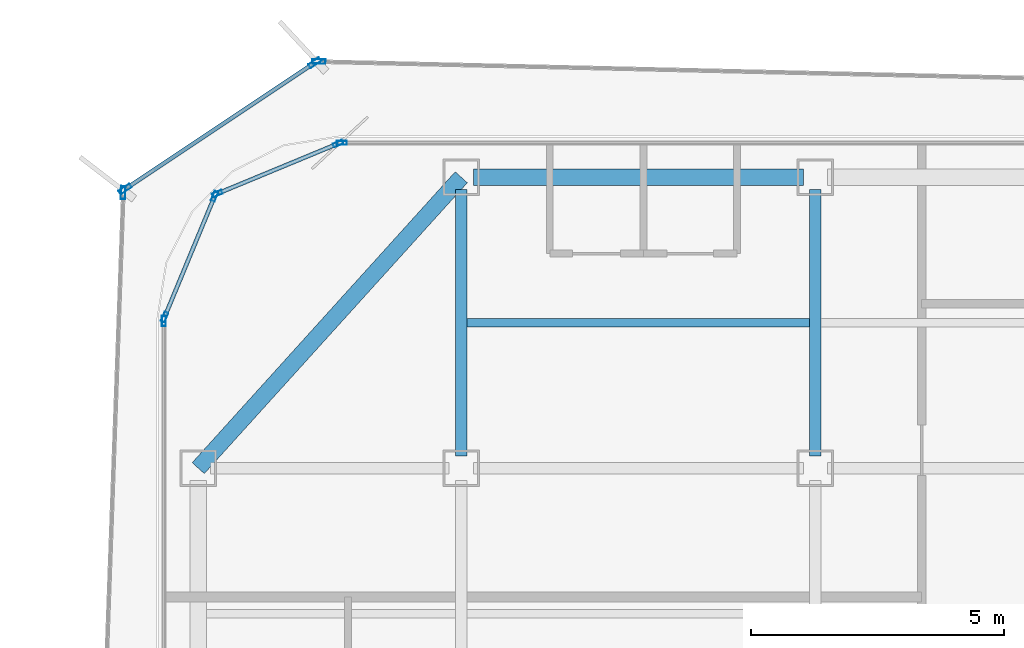
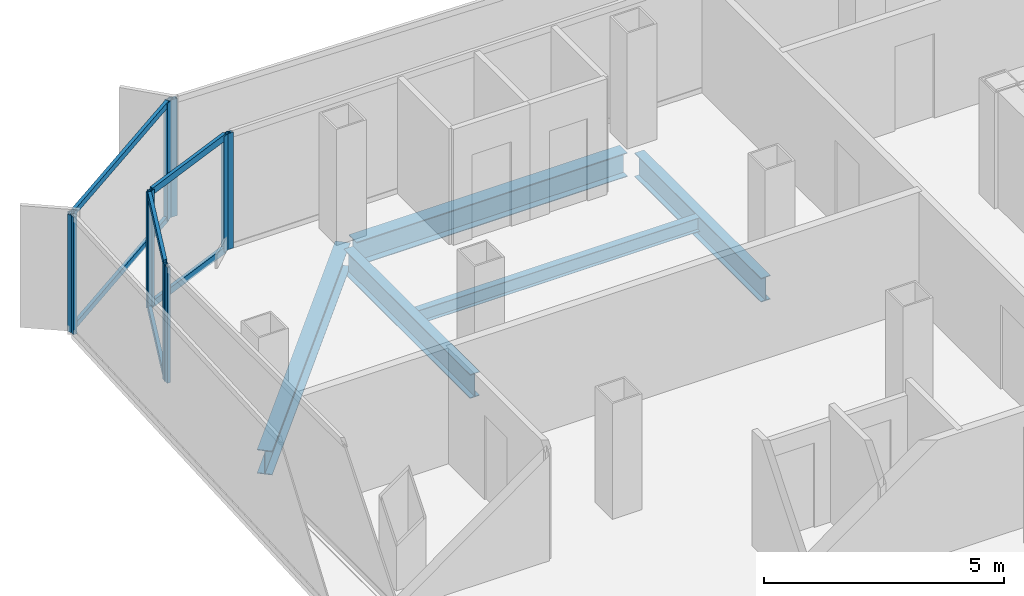
# One storey, part 6 of 15: 16 members, 5 beams, 7 elements without a shape of their own.
"""IFC4 building model written with IfcOpenShell, lengths in metres."""

from ifc_helpers import new_model, si_unit, direction, frame, origin, origin_2d, place, context, subcontext, project, spatial, hollow_rectangle, i_section, extrude, source, transform, mapped, material, layer, layer_set, material_profile, profile_set, type_object, element, aggregate, save


model = new_model("IFC4")

# Units and contexts
model_context = context("Model", 3, precision=1e-05, world=origin(), true_north=direction((0.0, 1.0)))
body_context = subcontext(model_context, "Body", "Model", "MODEL_VIEW")
ifc_project = project(units=[si_unit("LENGTHUNIT", "METRE"), si_unit("AREAUNIT", "SQUARE_METRE"), si_unit("VOLUMEUNIT", "CUBIC_METRE"), si_unit("PLANEANGLEUNIT", "RADIAN"), si_unit("MASSUNIT", "GRAM", prefix="KILO")], contexts=[model_context])

# Site, building, storey
site_placement = place(None, origin())
site = spatial("IfcSite", under=ifc_project, at=site_placement, CompositionType="ELEMENT")
building_placement = place(site_placement, origin())
building = spatial("IfcBuilding", under=site, at=building_placement, Name="Kolveth Station Tower", CompositionType="ELEMENT")
storey_placement = place(building_placement, frame((0.0, 0.0, 196.39990234375)))
storey = spatial("IfcBuildingStorey", under=building, at=storey_placement, Name="L55", CompositionType="ELEMENT", Elevation=196.39990234375)

# Beams
ifc_material_1 = material(Name="Steel S355", Category="steel")
ifc_material_profile_1 = material_profile(ifc_material_1, i_section(OverallWidth=0.323974609375, OverallDepth=0.611083984375, WebThickness=0.0126953125, FlangeThickness=0.01904296875, at=origin_2d()), Name="W610x155")
ifc_profile_set_1 = profile_set([ifc_material_profile_1], Name="Steel S355")
beam_type_1 = type_object("IfcBeamType", Name="Beam_SP2", PredefinedType="SPANDREL", material=ifc_profile_set_1)
shared_shape_1 = source(origin(), body_context, "Body", "SweptSolid", [
    extrude(i_section(OverallWidth=0.323974609375, OverallDepth=0.611083984375, WebThickness=0.0126953125, FlangeThickness=0.01904296875, at=origin_2d()), origin(), (0.0, 0.0, 1.0), 7.75244140625),
])
beam_1_placement = place(storey_placement, frame((6.0, 34.5, -0.555419921875), z_axis=(-0.670740965555, -0.74169168603, 0.0), x_axis=(0.74169168603, -0.670740965555, 0.0)))
element("IfcBeam", 1, at=beam_1_placement, inside=storey, type_object=beam_type_1, Name="L55 Corner Edge Girder BM-L55-CNR-NW", PredefinedType="SPANDREL", context=body_context, shape_type="MappedRepresentation", body=[
    mapped(shared_shape_1, transform((0.0, 0.0, 0.0), x_axis=(1.0, 0.0, 0.0), y_axis=(0.0, 1.0, 0.0), z_axis=(0.0, 0.0, 1.0), scale=1.0)),
])
shared_shape_2 = source(origin(), body_context, "Body", "SweptSolid", [
    extrude(i_section(OverallWidth=0.323974609375, OverallDepth=0.611083984375, WebThickness=0.0126953125, FlangeThickness=0.01904296875, at=origin_2d()), origin(), (0.0, 0.0, 1.0), 6.52001953125),
])
beam_2_placement = place(storey_placement, frame((6.239990234375, 34.5, -0.555419921875), z_axis=(1.0, 0.0, 0.0), x_axis=(0.0, 1.0, 0.0)))
element("IfcBeam", 2, at=beam_2_placement, inside=storey, type_object=beam_type_1, Name="L55 Perimeter Spandrel BM-L55-PN-1", PredefinedType="SPANDREL", context=body_context, shape_type="MappedRepresentation", body=[
    mapped(shared_shape_2, transform((0.0, 0.0, 0.0), x_axis=(1.0, 0.0, 0.0), y_axis=(0.0, 1.0, 0.0), z_axis=(0.0, 0.0, 1.0), scale=1.0)),
])
ifc_material_profile_2 = material_profile(ifc_material_1, i_section(OverallWidth=0.22900390625, OverallDepth=0.612060546875, WebThickness=0.011962890625, FlangeThickness=0.01953125, at=origin_2d()), Name="W610x125")
ifc_profile_set_2 = profile_set([ifc_material_profile_2], Name="Steel S355")
beam_type_2 = type_object("IfcBeamType", Name="Beam_B5", PredefinedType="BEAM", material=ifc_profile_set_2)
shared_shape_3 = source(origin(), body_context, "Body", "SweptSolid", [
    extrude(i_section(OverallWidth=0.22900390625, OverallDepth=0.612060546875, WebThickness=0.011962890625, FlangeThickness=0.01953125, at=origin_2d()), origin(), (0.0, 0.0, 1.0), 5.27001953125),
])
for number, where, z_axis, x_axis, name in (
    (3, (6.0, 28.989990234375, -0.555908203125), (0.0, 1.0, 0.0), (-1.0, 0.0, 0.0), "L55 Primary Girder BM-L55-GX60-6"),
    (4, (13.0, 28.989990234375, -0.555908203125), (0.0, 1.0, 0.0), (-1.0, 0.0, 0.0), "L55 Primary Girder BM-L55-GX130-6"),
):
    element("IfcBeam", number, at=place(storey_placement, frame(where, z_axis=z_axis, x_axis=x_axis)), inside=storey, type_object=beam_type_2, Name=name, PredefinedType="BEAM", context=body_context, shape_type="MappedRepresentation", body=[
        mapped(shared_shape_3, transform((0.0, 0.0, 0.0), x_axis=(1.0, 0.0, 0.0), y_axis=(0.0, 1.0, 0.0), z_axis=(0.0, 0.0, 1.0), scale=1.0)),
    ])
ifc_material_profile_3 = material_profile(ifc_material_1, i_section(OverallWidth=0.1708984375, OverallDepth=0.35205078125, WebThickness=0.0068359375, FlangeThickness=0.009765625, at=origin_2d()), Name="W360x44")
ifc_profile_set_3 = profile_set([ifc_material_profile_3], Name="Steel S355")
beam_type_3 = type_object("IfcBeamType", Name="Beam_J2", PredefinedType="JOIST", material=ifc_profile_set_3)
shared_shape_4 = source(origin(), body_context, "Body", "SweptSolid", [
    extrude(i_section(OverallWidth=0.1708984375, OverallDepth=0.35205078125, WebThickness=0.0068359375, FlangeThickness=0.009765625, at=origin_2d()), origin(), (0.0, 0.0, 1.0), 6.77490234375),
])
beam_3_placement = place(storey_placement, frame((6.112548828125, 31.625, -0.42578125), z_axis=(1.0, 0.0, 0.0), x_axis=(0.0, 1.0, 0.0)))
element("IfcBeam", 5, at=beam_3_placement, inside=storey, type_object=beam_type_3, Name="L55 Secondary Joist JST-L55-2-6", PredefinedType="JOIST", context=body_context, shape_type="MappedRepresentation", body=[
    mapped(shared_shape_4, transform((0.0, 0.0, 0.0), x_axis=(1.0, 0.0, 0.0), y_axis=(0.0, 1.0, 0.0), z_axis=(0.0, 0.0, 1.0), scale=1.0)),
])

# Curtain wall, member
ifc_material_2 = material(Name="Black anodized aluminium 6063-T6 and dark solar glass", Category="aluminium")
ifc_layer_1 = layer(ifc_material_2, 0.159912109375)
ifc_layer_set_1 = layer_set([ifc_layer_1], Name="Black anodized aluminium 6063-T6 and dark solar glass")
curtain_wall_type_1 = type_object("IfcCurtainWallType", Name="OUTER SKIN CW-OS", PredefinedType="NOTDEFINED", material=ifc_layer_set_1)
curtain_wall_1_placement = place(storey_placement, origin())
curtain_wall_1 = element("IfcCurtainWall", 6, at=curtain_wall_1_placement, inside=storey, type_object=curtain_wall_type_1, Name="L55 Outer Ventilated Skin Curtain Wall 4", PredefinedType="NOTDEFINED")
ifc_material_3 = material(Name="Black anodized aluminium 6063-T6", Category="aluminium")
ifc_material_profile_4 = material_profile(ifc_material_3, hollow_rectangle(XDim=0.090087890625, YDim=0.260009765625, WallThickness=0.0048828125, at=origin_2d()), Name="ALU-90x260x5")
ifc_profile_set_4 = profile_set([ifc_material_profile_4], Name="Black anodized aluminium 6063-T6")
member_type_1 = type_object("IfcMemberType", Name="FIN MULLION ML-OS", PredefinedType="MULLION", material=ifc_profile_set_4)
shared_shape_5 = source(origin(), body_context, "Body", "SweptSolid", [
    extrude(hollow_rectangle(XDim=0.090087890625, YDim=0.260009765625, WallThickness=0.0048828125, at=origin_2d()), origin(), (0.0, 0.0, 1.0), 2.989990234375),
])
member_1_placement = place(storey_placement, frame((3.18603515625, 36.78955078125, 0.0), z_axis=(0.0, 0.0, 1.0), x_axis=(-0.02310597472, -0.999733021327, 0.0)))
member_1 = element("IfcMember", 7, at=member_1_placement, type_object=member_type_1, Name="CW-OS mullion 2", PredefinedType="MULLION", context=body_context, shape_type="MappedRepresentation", body=[
    mapped(shared_shape_5, transform((0.0, 0.0, 0.0), x_axis=(1.0, 0.0, 0.0), y_axis=(0.0, 1.0, 0.0), z_axis=(0.0, 0.0, 1.0), scale=1.0)),
])
aggregate(curtain_wall_1, [member_1])

# Curtain wall, members
curtain_wall_2_placement = place(storey_placement, origin())
curtain_wall_2 = element("IfcCurtainWall", 8, at=curtain_wall_2_placement, inside=storey, type_object=curtain_wall_type_1, Name="L55 Outer Ventilated Skin Curtain Wall 5", PredefinedType="NOTDEFINED")
member_2_placement = place(storey_placement, frame((3.103759765625, 36.765625, 0.0), z_axis=(0.0, 0.0, 1.0), x_axis=(0.55464496632, -0.832087111627, 0.0)))
member_2 = element("IfcMember", 9, at=member_2_placement, type_object=member_type_1, Name="CW-OS mullion 1", PredefinedType="MULLION", context=body_context, shape_type="MappedRepresentation", body=[
    mapped(shared_shape_5, transform((0.0, 0.0, 0.0), x_axis=(1.0, 0.0, 0.0), y_axis=(0.0, 1.0, 0.0), z_axis=(0.0, 0.0, 1.0), scale=1.0)),
])
member_3_placement = place(storey_placement, frame((-0.64599609375, 34.266357421875, 0.0), z_axis=(0.0, 0.0, 1.0), x_axis=(0.55464496632, -0.832087111627, 0.0)))
member_3 = element("IfcMember", 10, at=member_3_placement, type_object=member_type_1, Name="CW-OS mullion 2", PredefinedType="MULLION", context=body_context, shape_type="MappedRepresentation", body=[
    mapped(shared_shape_5, transform((0.0, 0.0, 0.0), x_axis=(1.0, 0.0, 0.0), y_axis=(0.0, 1.0, 0.0), z_axis=(0.0, 0.0, 1.0), scale=1.0)),
])

# Curtain wall, member
curtain_wall_3_placement = place(storey_placement, origin())
curtain_wall_3 = element("IfcCurtainWall", 11, at=curtain_wall_3_placement, inside=storey, type_object=curtain_wall_type_1, Name="L55 Outer Ventilated Skin Curtain Wall 6", PredefinedType="NOTDEFINED")
member_4_placement = place(storey_placement, frame((-0.68505859375, 34.1962890625, 0.0), z_axis=(0.0, 0.0, 1.0), x_axis=(0.999363333669, -0.035678106998, 0.0)))
member_4 = element("IfcMember", 12, at=member_4_placement, type_object=member_type_1, Name="CW-OS mullion 1", PredefinedType="MULLION", context=body_context, shape_type="MappedRepresentation", body=[
    mapped(shared_shape_5, transform((0.0, 0.0, 0.0), x_axis=(1.0, 0.0, 0.0), y_axis=(0.0, 1.0, 0.0), z_axis=(0.0, 0.0, 1.0), scale=1.0)),
])
aggregate(curtain_wall_3, [member_4])

ifc_material_4 = material(Name="Aluminium 6063-T6 and low-E dark glass", Category="aluminium")
ifc_layer_2 = layer(ifc_material_4, 0.18994140625)
ifc_layer_set_2 = layer_set([ifc_layer_2], Name="Aluminium 6063-T6 and low-E dark glass")
curtain_wall_type_2 = type_object("IfcCurtainWallType", Name="CurtainWall_CW-Z2", PredefinedType="NOTDEFINED", material=ifc_layer_set_2)
curtain_wall_4_placement = place(storey_placement, origin())
curtain_wall_4 = element("IfcCurtainWall", 13, at=curtain_wall_4_placement, inside=storey, type_object=curtain_wall_type_2, Name="L55 Inner Thermal Curtain Wall 6", PredefinedType="NOTDEFINED")
ifc_material_profile_5 = material_profile(ifc_material_3, hollow_rectangle(XDim=0.080078125, YDim=0.199951171875, WallThickness=0.0048828125, at=origin_2d()), Name="ALU-80x200x5")
ifc_profile_set_5 = profile_set([ifc_material_profile_5], Name="Black anodized aluminium 6063-T6")
member_type_2 = type_object("IfcMemberType", Name="Mullion_ML2", PredefinedType="MULLION", material=ifc_profile_set_5)
shared_shape_6 = source(origin(), body_context, "Body", "SweptSolid", [
    extrude(hollow_rectangle(XDim=0.080078125, YDim=0.199951171875, WallThickness=0.0048828125, at=origin_2d()), origin(), (0.0, 0.0, 1.0), 2.9501953125),
])
member_5_placement = place(storey_placement, frame((3.639892578125, 35.179931640625, 0.0), z_axis=(0.0, 0.0, 1.0), x_axis=(0.0, -1.0, 0.0)))
member_5 = element("IfcMember", 14, at=member_5_placement, type_object=member_type_2, Name="CW-Z2 mullion 2", PredefinedType="MULLION", context=body_context, shape_type="MappedRepresentation", body=[
    mapped(shared_shape_6, transform((0.0, 0.0, 0.0), x_axis=(1.0, 0.0, 0.0), y_axis=(0.0, 1.0, 0.0), z_axis=(0.0, 0.0, 1.0), scale=1.0)),
])
aggregate(curtain_wall_4, [member_5])

# Curtain wall, members
curtain_wall_5_placement = place(storey_placement, origin())
curtain_wall_5 = element("IfcCurtainWall", 15, at=curtain_wall_5_placement, inside=storey, type_object=curtain_wall_type_2, Name="L55 Inner Thermal Curtain Wall 7", PredefinedType="NOTDEFINED")
member_6_placement = place(storey_placement, frame((3.56298828125, 35.164794921875, 0.0), z_axis=(0.0, 0.0, 1.0), x_axis=(0.382697753087, -0.923873600544, 0.0)))
member_6 = element("IfcMember", 16, at=member_6_placement, type_object=member_type_2, Name="CW-Z2 mullion 1", PredefinedType="MULLION", context=body_context, shape_type="MappedRepresentation", body=[
    mapped(shared_shape_6, transform((0.0, 0.0, 0.0), x_axis=(1.0, 0.0, 0.0), y_axis=(0.0, 1.0, 0.0), z_axis=(0.0, 0.0, 1.0), scale=1.0)),
])
member_7_placement = place(storey_placement, frame((1.17626953125, 34.176025390625, 0.0), z_axis=(0.0, 0.0, 1.0), x_axis=(0.382697753087, -0.923873600544, 0.0)))
member_7 = element("IfcMember", 17, at=member_7_placement, type_object=member_type_2, Name="CW-Z2 mullion 2", PredefinedType="MULLION", context=body_context, shape_type="MappedRepresentation", body=[
    mapped(shared_shape_6, transform((0.0, 0.0, 0.0), x_axis=(1.0, 0.0, 0.0), y_axis=(0.0, 1.0, 0.0), z_axis=(0.0, 0.0, 1.0), scale=1.0)),
])

curtain_wall_6_placement = place(storey_placement, origin())
curtain_wall_6 = element("IfcCurtainWall", 18, at=curtain_wall_6_placement, inside=storey, type_object=curtain_wall_type_2, Name="L55 Inner Thermal Curtain Wall 8", PredefinedType="NOTDEFINED")
member_8_placement = place(storey_placement, frame((1.1240234375, 34.123779296875, 0.0), z_axis=(0.0, 0.0, 1.0), x_axis=(0.923873600544, -0.382697753087, 0.0)))
member_8 = element("IfcMember", 19, at=member_8_placement, type_object=member_type_2, Name="CW-Z2 mullion 1", PredefinedType="MULLION", context=body_context, shape_type="MappedRepresentation", body=[
    mapped(shared_shape_6, transform((0.0, 0.0, 0.0), x_axis=(1.0, 0.0, 0.0), y_axis=(0.0, 1.0, 0.0), z_axis=(0.0, 0.0, 1.0), scale=1.0)),
])
member_9_placement = place(storey_placement, frame((0.13525390625, 31.737060546875, 0.0), z_axis=(0.0, 0.0, 1.0), x_axis=(0.923873600544, -0.382697753087, 0.0)))
member_9 = element("IfcMember", 20, at=member_9_placement, type_object=member_type_2, Name="CW-Z2 mullion 2", PredefinedType="MULLION", context=body_context, shape_type="MappedRepresentation", body=[
    mapped(shared_shape_6, transform((0.0, 0.0, 0.0), x_axis=(1.0, 0.0, 0.0), y_axis=(0.0, 1.0, 0.0), z_axis=(0.0, 0.0, 1.0), scale=1.0)),
])

# Curtain wall, member
curtain_wall_7_placement = place(storey_placement, origin())
curtain_wall_7 = element("IfcCurtainWall", 21, at=curtain_wall_7_placement, inside=storey, type_object=curtain_wall_type_2, Name="L55 Inner Thermal Curtain Wall 9", PredefinedType="NOTDEFINED")
member_10_placement = place(storey_placement, frame((0.1201171875, 31.659912109375, 0.0), z_axis=(0.0, 0.0, 1.0), x_axis=(1.0, 0.0, 0.0)))
member_10 = element("IfcMember", 22, at=member_10_placement, type_object=member_type_2, Name="CW-Z2 mullion 1", PredefinedType="MULLION", context=body_context, shape_type="MappedRepresentation", body=[
    mapped(shared_shape_6, transform((0.0, 0.0, 0.0), x_axis=(1.0, 0.0, 0.0), y_axis=(0.0, 1.0, 0.0), z_axis=(0.0, 0.0, 1.0), scale=1.0)),
])
aggregate(curtain_wall_7, [member_10])

# Member
ifc_material_profile_6 = material_profile(ifc_material_3, hollow_rectangle(XDim=0.080078125, YDim=0.169921875, WallThickness=0.0048828125, at=origin_2d()), Name="ALU-80x170x5")
ifc_profile_set_6 = profile_set([ifc_material_profile_6], Name="Black anodized aluminium 6063-T6")
member_type_3 = type_object("IfcMemberType", Name="Transom_TR2", PredefinedType="USERDEFINED", material=ifc_profile_set_6)
shared_shape_7 = source(origin(), body_context, "Body", "SweptSolid", [
    extrude(hollow_rectangle(XDim=0.080078125, YDim=0.169921875, WallThickness=0.0048828125, at=origin_2d()), origin(), (0.0, 0.0, 1.0), 2.50341796875),
])
member_11_placement = place(storey_placement, frame((3.526123046875, 35.1494140625, 0.0400390625), z_axis=(-0.923888472039, -0.382661849723, 0.0), x_axis=(0.382661849723, -0.923888472039, 0.0)))
member_11 = element("IfcMember", 23, at=member_11_placement, type_object=member_type_3, Name="CW-Z2 transom 1.1", ObjectType="TRANSOM", PredefinedType="USERDEFINED", context=body_context, shape_type="MappedRepresentation", body=[
    mapped(shared_shape_7, transform((0.0, 0.0, 0.0), x_axis=(1.0, 0.0, 0.0), y_axis=(0.0, 1.0, 0.0), z_axis=(0.0, 0.0, 1.0), scale=1.0)),
])

member_12_placement = place(storey_placement, frame((3.526123046875, 35.1494140625, 2.91015625), z_axis=(-0.923888472039, -0.382661849723, 0.0), x_axis=(0.382661849723, -0.923888472039, 0.0)))
member_12 = element("IfcMember", 24, at=member_12_placement, type_object=member_type_3, Name="CW-Z2 transom 1.2", ObjectType="TRANSOM", PredefinedType="USERDEFINED", context=body_context, shape_type="MappedRepresentation", body=[
    mapped(shared_shape_7, transform((0.0, 0.0, 0.0), x_axis=(1.0, 0.0, 0.0), y_axis=(0.0, 1.0, 0.0), z_axis=(0.0, 0.0, 1.0), scale=1.0)),
])

aggregate(curtain_wall_5, [member_6, member_7, member_11, member_12])

member_13_placement = place(storey_placement, frame((1.108642578125, 34.086669921875, 0.0400390625), z_axis=(-0.382696328882, -0.923874190494, 0.0), x_axis=(0.923874190494, -0.382696328882, 0.0)))
member_13 = element("IfcMember", 25, at=member_13_placement, type_object=member_type_3, Name="CW-Z2 transom 1.1", ObjectType="TRANSOM", PredefinedType="USERDEFINED", context=body_context, shape_type="MappedRepresentation", body=[
    mapped(shared_shape_7, transform((0.0, 0.0, 0.0), x_axis=(1.0, 0.0, 0.0), y_axis=(0.0, 1.0, 0.0), z_axis=(0.0, 0.0, 1.0), scale=1.0)),
])

member_14_placement = place(storey_placement, frame((1.108642578125, 34.086669921875, 2.91015625), z_axis=(-0.382696328882, -0.923874190494, 0.0), x_axis=(0.923874190494, -0.382696328882, 0.0)))
member_14 = element("IfcMember", 26, at=member_14_placement, type_object=member_type_3, Name="CW-Z2 transom 1.2", ObjectType="TRANSOM", PredefinedType="USERDEFINED", context=body_context, shape_type="MappedRepresentation", body=[
    mapped(shared_shape_7, transform((0.0, 0.0, 0.0), x_axis=(1.0, 0.0, 0.0), y_axis=(0.0, 1.0, 0.0), z_axis=(0.0, 0.0, 1.0), scale=1.0)),
])

aggregate(curtain_wall_6, [member_8, member_9, member_13, member_14])

ifc_material_profile_7 = material_profile(ifc_material_3, hollow_rectangle(XDim=0.080078125, YDim=0.14990234375, WallThickness=0.0048828125, at=origin_2d()), Name="ALU-80x150x5")
ifc_profile_set_7 = profile_set([ifc_material_profile_7], Name="Black anodized aluminium 6063-T6")
member_type_4 = type_object("IfcMemberType", Name="Transom_TR-OS", PredefinedType="USERDEFINED", material=ifc_profile_set_7)
shared_shape_8 = source(origin(), body_context, "Body", "SweptSolid", [
    extrude(hollow_rectangle(XDim=0.080078125, YDim=0.14990234375, WallThickness=0.0048828125, at=origin_2d()), origin(), (0.0, 0.0, 1.0), 4.416015625),
])
member_15_placement = place(storey_placement, frame((3.066162109375, 36.74072265625, 0.0400390625), z_axis=(-0.832075809037, -0.554661922269, 0.0), x_axis=(0.554661922269, -0.832075809037, 0.0)))
member_15 = element("IfcMember", 27, at=member_15_placement, type_object=member_type_4, Name="CW-OS transom 1.1", ObjectType="TRANSOM", PredefinedType="USERDEFINED", context=body_context, shape_type="MappedRepresentation", body=[
    mapped(shared_shape_8, transform((0.0, 0.0, 0.0), x_axis=(1.0, 0.0, 0.0), y_axis=(0.0, 1.0, 0.0), z_axis=(0.0, 0.0, 1.0), scale=1.0)),
])

member_16_placement = place(storey_placement, frame((3.066162109375, 36.74072265625, 2.9501953125), z_axis=(-0.832075809037, -0.554661922269, 0.0), x_axis=(0.554661922269, -0.832075809037, 0.0)))
member_16 = element("IfcMember", 28, at=member_16_placement, type_object=member_type_4, Name="CW-OS transom 1.2", ObjectType="TRANSOM", PredefinedType="USERDEFINED", context=body_context, shape_type="MappedRepresentation", body=[
    mapped(shared_shape_8, transform((0.0, 0.0, 0.0), x_axis=(1.0, 0.0, 0.0), y_axis=(0.0, 1.0, 0.0), z_axis=(0.0, 0.0, 1.0), scale=1.0)),
])

aggregate(curtain_wall_2, [member_2, member_3, member_15, member_16])

save(model, "model.ifc")
